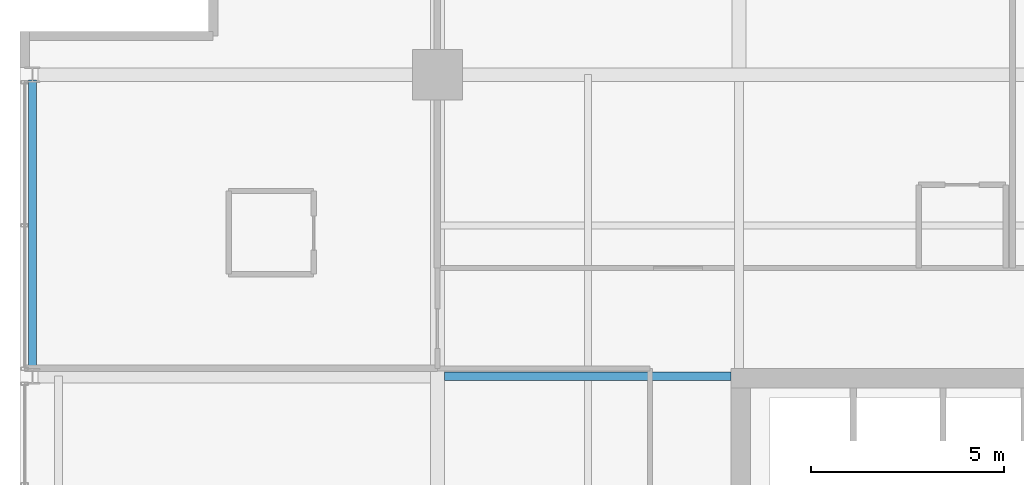
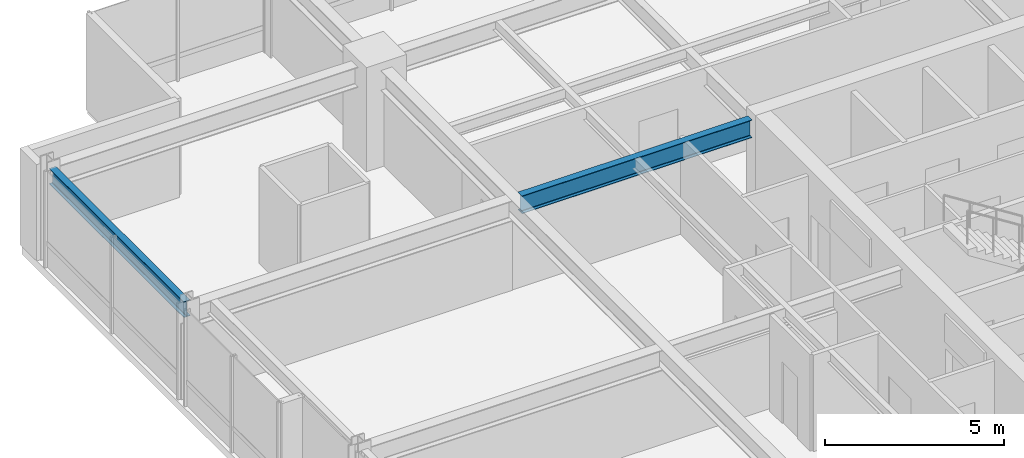
# One storey, part 17 of 32: 2 beams.
"""IFC4 building model written with IfcOpenShell, lengths in metres."""

from ifc_helpers import new_model, si_unit, direction, frame, origin, origin_2d, place, context, subcontext, project, spatial, i_section, extrude, material, material_profile, profile_set, type_object, element, save


model = new_model("IFC4")

# Units and contexts
model_context = context("Model", 3, precision=1e-05, world=origin(), true_north=direction((0.0, 1.0)))
body_context = subcontext(model_context, "Body", "Model", "MODEL_VIEW")
ifc_project = project(units=[si_unit("LENGTHUNIT", "METRE"), si_unit("AREAUNIT", "SQUARE_METRE"), si_unit("VOLUMEUNIT", "CUBIC_METRE"), si_unit("PLANEANGLEUNIT", "RADIAN"), si_unit("MASSUNIT", "GRAM", prefix="KILO")], contexts=[model_context])

# Site, building, storey
site_placement = place(None, origin())
site = spatial("IfcSite", under=ifc_project, at=site_placement, CompositionType="ELEMENT")
building_placement = place(site_placement, origin())
building = spatial("IfcBuilding", under=site, at=building_placement, Name="Drelvath Grand Hotel", CompositionType="ELEMENT")
storey_placement = place(building_placement, frame((0.0, 0.0, 193.0)))
storey = spatial("IfcBuildingStorey", under=building, at=storey_placement, Name="L50", CompositionType="ELEMENT", Elevation=193.0)

# Beams
ifc_material = material(Name="Steel ASTM A992 Gr 50", Category="steel")
ifc_material_profile_1 = material_profile(ifc_material, i_section(OverallWidth=0.210205078125, OverallDepth=0.53662109375, WebThickness=0.010986328125, FlangeThickness=0.017333984375, FilletRadius=0.01806640625, at=origin_2d()), Name="W21X68")
ifc_profile_set_1 = profile_set([ifc_material_profile_1], Name="Steel ASTM A992 Gr 50")
beam_type_1 = type_object("IfcBeamType", Name="Perimeter Spandrel Beam W21X68", PredefinedType="SPANDREL", material=ifc_profile_set_1)
beam_1_placement = place(storey_placement, frame((-26.679931640625, 35.5400390625, 3.021484375), z_axis=(0.0, 1.0, 0.0), x_axis=(-1.0, 0.0, 0.0)))
element("IfcBeam", 1, at=beam_1_placement, inside=storey, type_object=beam_type_1, Name="L50 Spandrel West N", PredefinedType="SPANDREL", context=body_context, shape_type="SweptSolid", body=[
    extrude(i_section(OverallWidth=0.210205078125, OverallDepth=0.53662109375, WebThickness=0.010986328125, FlangeThickness=0.017333984375, FilletRadius=0.01806640625, at=origin_2d()), origin(), (0.0, 0.0, 1.0), 7.52001953125),
])
ifc_material_profile_2 = material_profile(ifc_material, i_section(OverallWidth=0.228271484375, OverallDepth=0.607666015625, WebThickness=0.01123046875, FlangeThickness=0.017333984375, FilletRadius=0.02001953125, at=origin_2d()), Name="W24X76")
ifc_profile_set_2 = profile_set([ifc_material_profile_2], Name="Steel ASTM A992 Gr 50")
beam_type_2 = type_object("IfcBeamType", Name="Primary Floor Girder W24X76", PredefinedType="BEAM", material=ifc_profile_set_2)
beam_2_placement = place(storey_placement, frame((-16.022705078125, 35.39990234375, 2.986083984375), z_axis=(1.0, 0.0, 0.0), x_axis=(0.0, 1.0, 0.0)))
element("IfcBeam", 2, at=beam_2_placement, inside=storey, type_object=beam_type_2, Name="L50 West Core Tie F", PredefinedType="BEAM", context=body_context, shape_type="SweptSolid", body=[
    extrude(i_section(OverallWidth=0.228271484375, OverallDepth=0.607666015625, WebThickness=0.01123046875, FlangeThickness=0.017333984375, FilletRadius=0.02001953125, at=origin_2d()), origin(), (0.0, 0.0, 1.0), 7.422607421875),
])

save(model, "model.ifc")
